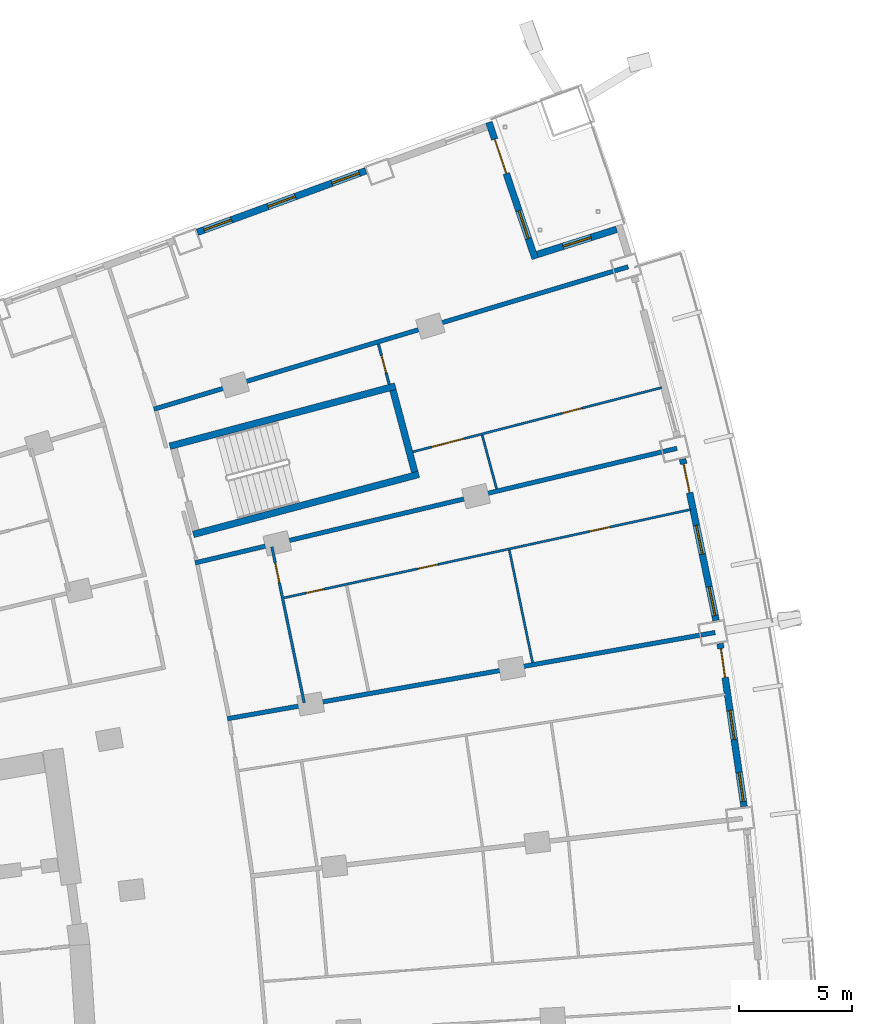
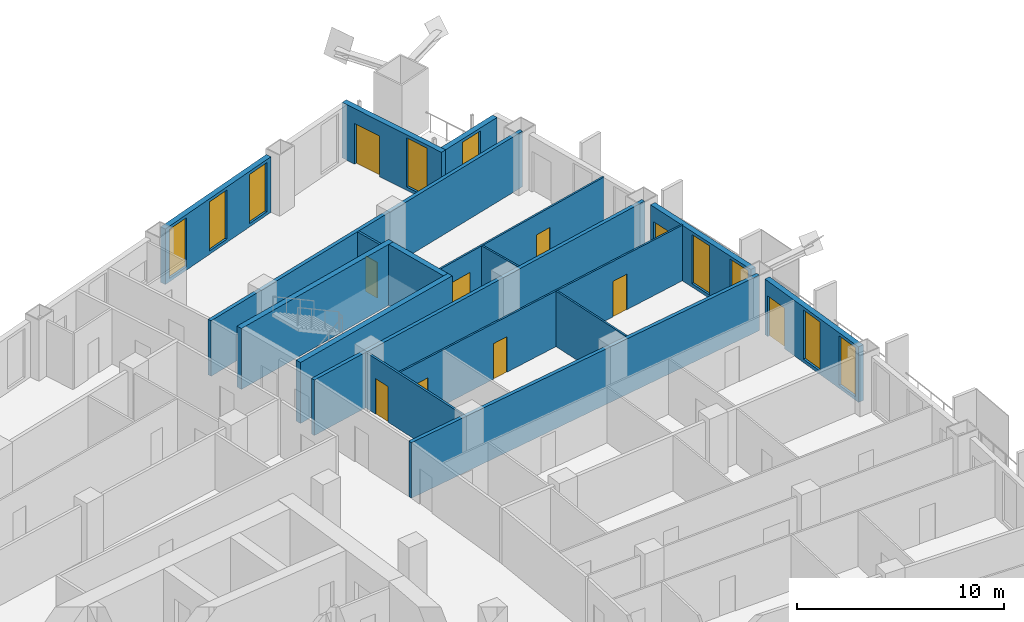
# One storey, part 18 of 22: 17 walls, 10 doors, 9 windows, 19 openings.
"""IFC4 building model written with IfcOpenShell, lengths in metres."""

from ifc_helpers import new_model, si_unit, direction, frame, frame_2d, origin, place, context, subcontext, project, spatial, rectangle, extrude, material, layer, layer_set, type_object, element, fill, save


model = new_model("IFC4")

# Units and contexts
model_context = context("Model", 3, precision=1e-05, world=origin(), true_north=direction((0.0, 1.0)))
body_context = subcontext(model_context, "Body", "Model", "MODEL_VIEW")
ifc_project = project(units=[si_unit("LENGTHUNIT", "METRE"), si_unit("AREAUNIT", "SQUARE_METRE"), si_unit("VOLUMEUNIT", "CUBIC_METRE"), si_unit("PLANEANGLEUNIT", "RADIAN"), si_unit("MASSUNIT", "GRAM", prefix="KILO")], contexts=[model_context])

# Site, building, storey
site_placement = place(None, origin())
site = spatial("IfcSite", under=ifc_project, at=site_placement, CompositionType="ELEMENT")
building_placement = place(site_placement, origin())
building = spatial("IfcBuilding", under=site, at=building_placement, Name="Alderwake Tower", CompositionType="ELEMENT")
storey_placement = place(building_placement, frame((0.0, 0.0, 50.0)))
storey = spatial("IfcBuildingStorey", under=building, at=storey_placement, Name="L11", CompositionType="ELEMENT", Elevation=50.0)

# Walls
ifc_material_1 = material(Name="Concrete C70/85", Category="concrete")
ifc_layer_1 = layer(ifc_material_1, 0.300048828125)
ifc_layer_set_1 = layer_set([ifc_layer_1], Name="Core wall stair enclosure 300 C70-85")
wall_type_1 = type_object("IfcWallType", Name="Core wall stair enclosure 300 C70-85", PredefinedType="SHEAR", material=ifc_layer_set_1)
for number, where, z_axis, x_axis, name in (
    (1, (36.71142578125, 94.182373046875, 0.0), (0.0, 0.0, 1.0), (0.966309214305, 0.257383958996, 0.0), "Core wall CW.082"),
    (2, (37.75390625, 90.268798828125, 0.0), (0.0, 0.0, 1.0), (0.966309214305, 0.257383958996, 0.0), "Core wall CW.084"),
):
    element("IfcWall", number, at=place(storey_placement, frame(where, z_axis=z_axis, x_axis=x_axis)), inside=storey, type_object=wall_type_1, Name=name, PredefinedType="SHEAR", context=body_context, shape_type="SweptSolid", body=[
        extrude(rectangle(XDim=10.360107421875, YDim=0.300048828125, at=frame_2d((5.18017578125, 0.0))), origin(), (0.0, 0.0, 1.0), 3.60009765625),
    ])
wall_1_placement = place(storey_placement, frame((47.581298828125, 93.041748046875, 0.0), z_axis=(0.0, 0.0, 1.0), x_axis=(-0.257366821694, 0.966313778796, 0.0)))
element("IfcWall", 3, at=wall_1_placement, inside=storey, type_object=wall_type_1, Name="Core wall CW.081", PredefinedType="SHEAR", context=body_context, shape_type="SweptSolid", body=[
    extrude(rectangle(XDim=3.749755859375, YDim=0.300048828125, at=frame_2d((1.875, 0.0))), origin(), (0.0, 0.0, 1.0), 3.60009765625),
])

# Wall, openings, door, windows
ifc_material_2 = material(Name="Precast concrete C50/60 spandrel panel", Category="concrete")
ifc_layer_2 = layer(ifc_material_2, 0.300048828125)
ifc_layer_set_2 = layer_set([ifc_layer_2], Name="External wall EW1 Precast concrete C50/60 spandrel")
wall_type_2 = type_object("IfcWallType", Name="External wall EW1 Precast concrete C50/60 spandrel", PredefinedType="SOLIDWALL", material=ifc_layer_set_2)
wall_2_placement = place(storey_placement, frame((62.199951171875, 78.193603515625, 0.0), z_axis=(0.0, 0.0, 1.0), x_axis=(-0.145326596696, 0.989383737633, 0.0)))
wall_2 = element("IfcWall", 4, at=wall_2_placement, inside=storey, type_object=wall_type_2, Name="External wall 19", PredefinedType="SOLIDWALL", context=body_context, shape_type="SweptSolid", body=[
    extrude(rectangle(XDim=7.30615234375, YDim=0.300048828125, at=frame_2d((3.653076171875, 0.0))), origin(), (0.0, 0.0, 1.0), 3.280029296875),
])
opening_1_placement = place(wall_2_placement, frame((0.222900390625, 0.0, 0.199951171875)))
opening_1 = element("IfcOpeningElement", 5, at=opening_1_placement, cuts=wall_2, Name="Opening W1", PredefinedType="OPENING", context=body_context, shape_type="SweptSolid", body=[
    extrude(rectangle(XDim=1.300048828125, YDim=2.89990234375, at=frame_2d((0.64990234375, 1.449951171875))), frame((0.0, 0.159912109375, 0.0), z_axis=(0.0, -1.0, 0.0), x_axis=(1.0, 0.0, 0.0)), (0.0, 0.0, 1.0), 0.320068359375),
])
opening_2_placement = place(wall_2_placement, frame((3.0029296875, 0.0, 0.199951171875)))
opening_2 = element("IfcOpeningElement", 6, at=opening_2_placement, cuts=wall_2, Name="Opening W1", PredefinedType="OPENING", context=body_context, shape_type="SweptSolid", body=[
    extrude(rectangle(XDim=1.300048828125, YDim=2.89990234375, at=frame_2d((0.64990234375, 1.449951171875))), frame((0.0, 0.159912109375, 0.0), z_axis=(0.0, -1.0, 0.0), x_axis=(1.0, 0.0, 0.0)), (0.0, 0.0, 1.0), 0.320068359375),
])
opening_3_placement = place(wall_2_placement, frame((5.783203125, 0.0, 0.0)))
opening_3 = element("IfcOpeningElement", 7, at=opening_3_placement, cuts=wall_2, Name="Opening D10", PredefinedType="OPENING", context=body_context, shape_type="SweptSolid", body=[
    extrude(rectangle(XDim=1.300048828125, YDim=2.39990234375, at=frame_2d((0.64990234375, 1.199951171875))), frame((0.0, 0.159912109375, 0.0), z_axis=(0.0, -1.0, 0.0), x_axis=(1.0, 0.0, 0.0)), (0.0, 0.0, 1.0), 0.320068359375),
])
ifc_material_3 = material(Name="Bronze tinted glass in aluminium frame", Category="aluminium")
door_type_1 = type_object("IfcDoorType", Name="Balcony door BD sliding", OperationType="SLIDING_TO_LEFT", PredefinedType="DOOR", material=ifc_material_3)
door_1_placement = place(opening_3_placement, origin())
door_1 = element("IfcDoor", 8, at=door_1_placement, inside=storey, type_object=door_type_1, Name="Door D10", OperationType="SLIDING_TO_LEFT", OverallHeight=2.39990234375, OverallWidth=1.300048828125, PredefinedType="DOOR", context=body_context, shape_type="SweptSolid", body=[
    extrude(rectangle(XDim=1.300048828125, YDim=2.39990234375, at=frame_2d((0.64990234375, 1.199951171875))), frame((0.0, 0.02490234375, 0.0), z_axis=(0.0, -1.0, 0.0), x_axis=(1.0, 0.0, 0.0)), (0.0, 0.0, 1.0), 0.050048828125),
])
fill(opening_3, door_1)
ifc_material_4 = material(Name="Bronze tinted glass in aluminium frame", Category="aluminium")
window_type = type_object("IfcWindowType", Name="Window W1 tall fixed and vent", PartitioningType="DOUBLE_PANEL_VERTICAL", PredefinedType="WINDOW", material=ifc_material_4)
window_1_placement = place(opening_1_placement, origin())
window_1 = element("IfcWindow", 9, at=window_1_placement, inside=storey, type_object=window_type, Name="Window W1 tall fixed and vent", OverallHeight=2.89990234375, OverallWidth=1.300048828125, PartitioningType="DOUBLE_PANEL_VERTICAL", PredefinedType="WINDOW", context=body_context, shape_type="SweptSolid", body=[
    extrude(rectangle(XDim=1.300048828125, YDim=2.89990234375, at=frame_2d((0.64990234375, 1.449951171875))), frame((0.0, 0.030029296875, 0.0), z_axis=(0.0, -1.0, 0.0), x_axis=(1.0, 0.0, 0.0)), (0.0, 0.0, 1.0), 0.06005859375),
])
fill(opening_1, window_1)
window_2_placement = place(opening_2_placement, origin())
window_2 = element("IfcWindow", 10, at=window_2_placement, inside=storey, type_object=window_type, Name="Window W1 tall fixed and vent", OverallHeight=2.89990234375, OverallWidth=1.300048828125, PartitioningType="DOUBLE_PANEL_VERTICAL", PredefinedType="WINDOW", context=body_context, shape_type="SweptSolid", body=[
    extrude(rectangle(XDim=1.300048828125, YDim=2.89990234375, at=frame_2d((0.64990234375, 1.449951171875))), frame((0.0, 0.030029296875, 0.0), z_axis=(0.0, -1.0, 0.0), x_axis=(1.0, 0.0, 0.0)), (0.0, 0.0, 1.0), 0.06005859375),
])
fill(opening_2, window_2)

wall_3_placement = place(storey_placement, frame((60.955810546875, 86.45458984375, 0.0), z_axis=(0.0, 0.0, 1.0), x_axis=(-0.202769138353, 0.979226570581, 0.0)))
wall_3 = element("IfcWall", 11, at=wall_3_placement, inside=storey, type_object=wall_type_2, Name="External wall 20", PredefinedType="SOLIDWALL", context=body_context, shape_type="SweptSolid", body=[
    extrude(rectangle(XDim=7.30615234375, YDim=0.300048828125, at=frame_2d((3.653076171875, 0.0))), origin(), (0.0, 0.0, 1.0), 3.280029296875),
])
opening_4_placement = place(wall_3_placement, frame((0.222900390625, 0.0, 0.199951171875)))
opening_4 = element("IfcOpeningElement", 12, at=opening_4_placement, cuts=wall_3, Name="Opening W1", PredefinedType="OPENING", context=body_context, shape_type="SweptSolid", body=[
    extrude(rectangle(XDim=1.300048828125, YDim=2.89990234375, at=frame_2d((0.64990234375, 1.449951171875))), frame((0.0, 0.159912109375, 0.0), z_axis=(0.0, -1.0, 0.0), x_axis=(1.0, 0.0, 0.0)), (0.0, 0.0, 1.0), 0.320068359375),
])
opening_5_placement = place(wall_3_placement, frame((3.0029296875, 0.0, 0.199951171875)))
opening_5 = element("IfcOpeningElement", 13, at=opening_5_placement, cuts=wall_3, Name="Opening W1", PredefinedType="OPENING", context=body_context, shape_type="SweptSolid", body=[
    extrude(rectangle(XDim=1.300048828125, YDim=2.89990234375, at=frame_2d((0.64990234375, 1.449951171875))), frame((0.0, 0.159912109375, 0.0), z_axis=(0.0, -1.0, 0.0), x_axis=(1.0, 0.0, 0.0)), (0.0, 0.0, 1.0), 0.320068359375),
])
opening_6_placement = place(wall_3_placement, frame((5.783203125, 0.0, 0.0)))
opening_6 = element("IfcOpeningElement", 14, at=opening_6_placement, cuts=wall_3, Name="Opening D11", PredefinedType="OPENING", context=body_context, shape_type="SweptSolid", body=[
    extrude(rectangle(XDim=1.300048828125, YDim=2.39990234375, at=frame_2d((0.64990234375, 1.199951171875))), frame((0.0, 0.159912109375, 0.0), z_axis=(0.0, -1.0, 0.0), x_axis=(1.0, 0.0, 0.0)), (0.0, 0.0, 1.0), 0.320068359375),
])
door_2_placement = place(opening_6_placement, origin())
door_2 = element("IfcDoor", 15, at=door_2_placement, inside=storey, type_object=door_type_1, Name="Door D11", OperationType="SLIDING_TO_LEFT", OverallHeight=2.39990234375, OverallWidth=1.300048828125, PredefinedType="DOOR", context=body_context, shape_type="SweptSolid", body=[
    extrude(rectangle(XDim=1.300048828125, YDim=2.39990234375, at=frame_2d((0.64990234375, 1.199951171875))), frame((0.0, 0.02490234375, 0.0), z_axis=(0.0, -1.0, 0.0), x_axis=(1.0, 0.0, 0.0)), (0.0, 0.0, 1.0), 0.050048828125),
])
fill(opening_6, door_2)
window_3_placement = place(opening_4_placement, origin())
window_3 = element("IfcWindow", 16, at=window_3_placement, inside=storey, type_object=window_type, Name="Window W1 tall fixed and vent", OverallHeight=2.89990234375, OverallWidth=1.300048828125, PartitioningType="DOUBLE_PANEL_VERTICAL", PredefinedType="WINDOW", context=body_context, shape_type="SweptSolid", body=[
    extrude(rectangle(XDim=1.300048828125, YDim=2.89990234375, at=frame_2d((0.64990234375, 1.449951171875))), frame((0.0, 0.030029296875, 0.0), z_axis=(0.0, -1.0, 0.0), x_axis=(1.0, 0.0, 0.0)), (0.0, 0.0, 1.0), 0.06005859375),
])
fill(opening_4, window_3)
window_4_placement = place(opening_5_placement, origin())
window_4 = element("IfcWindow", 17, at=window_4_placement, inside=storey, type_object=window_type, Name="Window W1 tall fixed and vent", OverallHeight=2.89990234375, OverallWidth=1.300048828125, PartitioningType="DOUBLE_PANEL_VERTICAL", PredefinedType="WINDOW", context=body_context, shape_type="SweptSolid", body=[
    extrude(rectangle(XDim=1.300048828125, YDim=2.89990234375, at=frame_2d((0.64990234375, 1.449951171875))), frame((0.0, 0.030029296875, 0.0), z_axis=(0.0, -1.0, 0.0), x_axis=(1.0, 0.0, 0.0)), (0.0, 0.0, 1.0), 0.06005859375),
])
fill(opening_5, window_4)

# Wall, opening, window
ifc_material_5 = material(Name="Bronze metal cladding on lightweight framing")
ifc_layer_3 = layer(ifc_material_5, 0.300048828125)
ifc_layer_set_3 = layer_set([ifc_layer_3], Name="External wall EW2 bronze metal cladding")
wall_type_3 = type_object("IfcWallType", Name="External wall EW2 bronze metal cladding", PredefinedType="SOLIDWALL", material=ifc_layer_set_3)
wall_4_placement = place(storey_placement, frame((56.544677734375, 103.80810546875, 0.0), z_axis=(0.0, 0.0, 1.0), x_axis=(-0.953466730622, -0.301498248083, 0.0)))
wall_4 = element("IfcWall", 18, at=wall_4_placement, inside=storey, type_object=wall_type_3, Name="External wall 23", PredefinedType="SOLIDWALL", context=body_context, shape_type="SweptSolid", body=[
    extrude(rectangle(XDim=3.694091796875, YDim=0.300048828125, at=frame_2d((1.84716796875, 0.0))), origin(), (0.0, 0.0, 1.0), 3.280029296875),
])
opening_7_placement = place(wall_4_placement, frame((1.197021484375, 0.0, 0.199951171875)))
opening_7 = element("IfcOpeningElement", 19, at=opening_7_placement, cuts=wall_4, Name="Opening W1", PredefinedType="OPENING", context=body_context, shape_type="SweptSolid", body=[
    extrude(rectangle(XDim=1.300048828125, YDim=2.89990234375, at=frame_2d((0.64990234375, 1.449951171875))), frame((0.0, 0.159912109375, 0.0), z_axis=(0.0, -1.0, 0.0), x_axis=(1.0, 0.0, 0.0)), (0.0, 0.0, 1.0), 0.320068359375),
])
window_5_placement = place(opening_7_placement, origin())
window_5 = element("IfcWindow", 20, at=window_5_placement, inside=storey, type_object=window_type, Name="Window W1 tall fixed and vent", OverallHeight=2.89990234375, OverallWidth=1.300048828125, PartitioningType="DOUBLE_PANEL_VERTICAL", PredefinedType="WINDOW", context=body_context, shape_type="SweptSolid", body=[
    extrude(rectangle(XDim=1.300048828125, YDim=2.89990234375, at=frame_2d((0.64990234375, 1.449951171875))), frame((0.0, 0.030029296875, 0.0), z_axis=(0.0, -1.0, 0.0), x_axis=(1.0, 0.0, 0.0)), (0.0, 0.0, 1.0), 0.06005859375),
])
fill(opening_7, window_5)

# Wall, openings, door, window
wall_5_placement = place(storey_placement, frame((52.927490234375, 102.507080078125, 0.0), z_axis=(0.0, 0.0, 1.0), x_axis=(-0.320933594425, 0.947101698853, 0.0)))
wall_5 = element("IfcWall", 21, at=wall_5_placement, inside=storey, type_object=wall_type_3, Name="External wall 24", PredefinedType="SOLIDWALL", context=body_context, shape_type="SweptSolid", body=[
    extrude(rectangle(XDim=6.3916015625, YDim=0.300048828125, at=frame_2d((3.19580078125, 0.0))), origin(), (0.0, 0.0, 1.0), 3.280029296875),
])
opening_8_placement = place(wall_5_placement, frame((0.947998046875, 0.0, 0.199951171875)))
opening_8 = element("IfcOpeningElement", 22, at=opening_8_placement, cuts=wall_5, Name="Opening W1", PredefinedType="OPENING", context=body_context, shape_type="SweptSolid", body=[
    extrude(rectangle(XDim=1.300048828125, YDim=2.89990234375, at=frame_2d((0.64990234375, 1.449951171875))), frame((0.0, 0.159912109375, 0.0), z_axis=(0.0, -1.0, 0.0), x_axis=(1.0, 0.0, 0.0)), (0.0, 0.0, 1.0), 0.320068359375),
])
opening_9_placement = place(wall_5_placement, frame((3.993896484375, 0.0, 0.0)))
opening_9 = element("IfcOpeningElement", 23, at=opening_9_placement, cuts=wall_5, Name="Opening D13", PredefinedType="OPENING", context=body_context, shape_type="SweptSolid", body=[
    extrude(rectangle(XDim=1.60009765625, YDim=2.39990234375, at=frame_2d((0.800048828125, 1.199951171875))), frame((0.0, 0.159912109375, 0.0), z_axis=(0.0, -1.0, 0.0), x_axis=(1.0, 0.0, 0.0)), (0.0, 0.0, 1.0), 0.320068359375),
])
ifc_material_6 = material(Name="Bronze tinted glass in aluminium frame", Category="aluminium")
door_type_2 = type_object("IfcDoorType", Name="Terrace door TD sliding", OperationType="SLIDING_TO_LEFT", PredefinedType="DOOR", material=ifc_material_6)
door_3_placement = place(opening_9_placement, origin())
door_3 = element("IfcDoor", 24, at=door_3_placement, inside=storey, type_object=door_type_2, Name="Door D13", OperationType="SLIDING_TO_LEFT", OverallHeight=2.39990234375, OverallWidth=1.60009765625, PredefinedType="DOOR", context=body_context, shape_type="SweptSolid", body=[
    extrude(rectangle(XDim=1.60009765625, YDim=2.39990234375, at=frame_2d((0.800048828125, 1.199951171875))), frame((0.0, 0.02490234375, 0.0), z_axis=(0.0, -1.0, 0.0), x_axis=(1.0, 0.0, 0.0)), (0.0, 0.0, 1.0), 0.050048828125),
])
fill(opening_9, door_3)
window_6_placement = place(opening_8_placement, origin())
window_6 = element("IfcWindow", 25, at=window_6_placement, inside=storey, type_object=window_type, Name="Window W1 tall fixed and vent", OverallHeight=2.89990234375, OverallWidth=1.300048828125, PartitioningType="DOUBLE_PANEL_VERTICAL", PredefinedType="WINDOW", context=body_context, shape_type="SweptSolid", body=[
    extrude(rectangle(XDim=1.300048828125, YDim=2.89990234375, at=frame_2d((0.64990234375, 1.449951171875))), frame((0.0, 0.030029296875, 0.0), z_axis=(0.0, -1.0, 0.0), x_axis=(1.0, 0.0, 0.0)), (0.0, 0.0, 1.0), 0.06005859375),
])
fill(opening_8, window_6)

# Wall, openings, windows
wall_6_placement = place(storey_placement, frame((45.41357421875, 106.406982421875, 0.0), z_axis=(0.0, 0.0, 1.0), x_axis=(-0.939370174945, -0.34290475999, 0.0)))
wall_6 = element("IfcWall", 26, at=wall_6_placement, inside=storey, type_object=wall_type_3, Name="External wall 26", PredefinedType="SOLIDWALL", context=body_context, shape_type="SweptSolid", body=[
    extrude(rectangle(XDim=7.962646484375, YDim=0.300048828125, at=frame_2d((3.9814453125, 0.0))), origin(), (0.0, 0.0, 1.0), 3.280029296875),
])
opening_10_placement = place(wall_6_placement, frame((0.30908203125, 0.0, 0.199951171875)))
opening_10 = element("IfcOpeningElement", 27, at=opening_10_placement, cuts=wall_6, Name="Opening W1", PredefinedType="OPENING", context=body_context, shape_type="SweptSolid", body=[
    extrude(rectangle(XDim=1.300048828125, YDim=2.89990234375, at=frame_2d((0.64990234375, 1.449951171875))), frame((0.0, 0.159912109375, 0.0), z_axis=(0.0, -1.0, 0.0), x_axis=(1.0, 0.0, 0.0)), (0.0, 0.0, 1.0), 0.320068359375),
])
opening_11_placement = place(wall_6_placement, frame((3.331298828125, 0.0, 0.199951171875)))
opening_11 = element("IfcOpeningElement", 28, at=opening_11_placement, cuts=wall_6, Name="Opening W1", PredefinedType="OPENING", context=body_context, shape_type="SweptSolid", body=[
    extrude(rectangle(XDim=1.300048828125, YDim=2.89990234375, at=frame_2d((0.64990234375, 1.449951171875))), frame((0.0, 0.159912109375, 0.0), z_axis=(0.0, -1.0, 0.0), x_axis=(1.0, 0.0, 0.0)), (0.0, 0.0, 1.0), 0.320068359375),
])
opening_12_placement = place(wall_6_placement, frame((6.353515625, 0.0, 0.199951171875)))
opening_12 = element("IfcOpeningElement", 29, at=opening_12_placement, cuts=wall_6, Name="Opening W1", PredefinedType="OPENING", context=body_context, shape_type="SweptSolid", body=[
    extrude(rectangle(XDim=1.300048828125, YDim=2.89990234375, at=frame_2d((0.64990234375, 1.449951171875))), frame((0.0, 0.159912109375, 0.0), z_axis=(0.0, -1.0, 0.0), x_axis=(1.0, 0.0, 0.0)), (0.0, 0.0, 1.0), 0.320068359375),
])
window_7_placement = place(opening_10_placement, origin())
window_7 = element("IfcWindow", 30, at=window_7_placement, inside=storey, type_object=window_type, Name="Window W1 tall fixed and vent", OverallHeight=2.89990234375, OverallWidth=1.300048828125, PartitioningType="DOUBLE_PANEL_VERTICAL", PredefinedType="WINDOW", context=body_context, shape_type="SweptSolid", body=[
    extrude(rectangle(XDim=1.300048828125, YDim=2.89990234375, at=frame_2d((0.64990234375, 1.449951171875))), frame((0.0, 0.030029296875, 0.0), z_axis=(0.0, -1.0, 0.0), x_axis=(1.0, 0.0, 0.0)), (0.0, 0.0, 1.0), 0.06005859375),
])
fill(opening_10, window_7)
window_8_placement = place(opening_11_placement, origin())
window_8 = element("IfcWindow", 31, at=window_8_placement, inside=storey, type_object=window_type, Name="Window W1 tall fixed and vent", OverallHeight=2.89990234375, OverallWidth=1.300048828125, PartitioningType="DOUBLE_PANEL_VERTICAL", PredefinedType="WINDOW", context=body_context, shape_type="SweptSolid", body=[
    extrude(rectangle(XDim=1.300048828125, YDim=2.89990234375, at=frame_2d((0.64990234375, 1.449951171875))), frame((0.0, 0.030029296875, 0.0), z_axis=(0.0, -1.0, 0.0), x_axis=(1.0, 0.0, 0.0)), (0.0, 0.0, 1.0), 0.06005859375),
])
fill(opening_11, window_8)
window_9_placement = place(opening_12_placement, origin())
window_9 = element("IfcWindow", 32, at=window_9_placement, inside=storey, type_object=window_type, Name="Window W1 tall fixed and vent", OverallHeight=2.89990234375, OverallWidth=1.300048828125, PartitioningType="DOUBLE_PANEL_VERTICAL", PredefinedType="WINDOW", context=body_context, shape_type="SweptSolid", body=[
    extrude(rectangle(XDim=1.300048828125, YDim=2.89990234375, at=frame_2d((0.64990234375, 1.449951171875))), frame((0.0, 0.030029296875, 0.0), z_axis=(0.0, -1.0, 0.0), x_axis=(1.0, 0.0, 0.0)), (0.0, 0.0, 1.0), 0.06005859375),
])
fill(opening_12, window_9)

# Walls
ifc_material_7 = material(Name="Dense block masonry wall", Category="masonry")
ifc_layer_4 = layer(ifc_material_7, 0.199951171875)
ifc_layer_set_4 = layer_set([ifc_layer_4], Name="Party wall 200")
wall_type_4 = type_object("IfcWallType", Name="Party wall 200", PredefinedType="SOLIDWALL", material=ifc_layer_set_4)
wall_7_placement = place(storey_placement, frame((37.839111328125, 89.006591796875, 0.0), z_axis=(0.0, 0.0, 1.0), x_axis=(0.972896955684, 0.231239083247, 0.0)))
element("IfcWall", 33, at=wall_7_placement, inside=storey, type_object=wall_type_4, Name="WL/L11/W05", PredefinedType="SOLIDWALL", context=body_context, shape_type="SweptSolid", body=[
    extrude(rectangle(XDim=21.9794921875, YDim=0.199951171875, at=frame_2d((10.98974609375, 0.0))), origin(), (0.0, 0.0, 1.0), 3.280029296875),
])
wall_8_placement = place(storey_placement, frame((57.056884765625, 102.14697265625, 0.0), z_axis=(0.0, 0.0, 1.0), x_axis=(-0.957772159576, -0.287528242685, 0.0)))
element("IfcWall", 34, at=wall_8_placement, inside=storey, type_object=wall_type_4, Name="WL/L11/W07", PredefinedType="SOLIDWALL", context=body_context, shape_type="SweptSolid", body=[
    extrude(rectangle(XDim=21.980712890625, YDim=0.199951171875, at=frame_2d((10.990234375, 0.0))), origin(), (0.0, 0.0, 1.0), 3.280029296875),
])
wall_9_placement = place(storey_placement, frame((60.9150390625, 85.9140625, 0.0), z_axis=(0.0, 0.0, 1.0), x_axis=(-0.984728497917, -0.174097057385, 0.0)))
element("IfcWall", 35, at=wall_9_placement, inside=storey, type_object=wall_type_4, Name="WL/L11/W09", PredefinedType="SOLIDWALL", context=body_context, shape_type="SweptSolid", body=[
    extrude(rectangle(XDim=21.9814453125, YDim=0.199951171875, at=frame_2d((10.99072265625, 0.0))), origin(), (0.0, 0.0, 1.0), 3.280029296875),
])

# Wall, openings, doors
ifc_material_8 = material(Name="Gypsum board on metal studs")
ifc_layer_5 = layer(ifc_material_8, 0.10009765625)
ifc_layer_set_5 = layer_set([ifc_layer_5], Name="Unit partition 100")
wall_type_5 = type_object("IfcWallType", Name="Unit partition 100", PredefinedType="PARTITIONING", material=ifc_layer_set_5)
wall_10_placement = place(storey_placement, frame((59.8349609375, 91.3740234375, 0.0), z_axis=(0.0, 0.0, 1.0), x_axis=(-0.977210328397, -0.212273347536, 0.0)))
wall_10 = element("IfcWall", 36, at=wall_10_placement, inside=storey, type_object=wall_type_5, Name="WL/L11/W73", PredefinedType="PARTITIONING", context=body_context, shape_type="SweptSolid", body=[
    extrude(rectangle(XDim=18.482421875, YDim=0.10009765625, at=frame_2d((9.2412109375, 0.0))), origin(), (0.0, 0.0, 1.0), 3.280029296875),
])
opening_13_placement = place(wall_10_placement, frame((11.498291015625, 0.0, 0.0)))
opening_13 = element("IfcOpeningElement", 37, at=opening_13_placement, cuts=wall_10, Name="Opening R02-U10.1", PredefinedType="OPENING", context=body_context, shape_type="SweptSolid", body=[
    extrude(rectangle(XDim=0.89990234375, YDim=2.10009765625, at=frame_2d((0.449951171875, 1.050048828125))), frame((0.0, 0.06005859375, 0.0), z_axis=(0.0, -1.0, 0.0), x_axis=(1.0, 0.0, 0.0)), (0.0, 0.0, 1.0), 0.1201171875),
])
opening_14_placement = place(wall_10_placement, frame((16.663330078125, 0.0, 0.0)))
opening_14 = element("IfcOpeningElement", 38, at=opening_14_placement, cuts=wall_10, Name="Opening R02-U10.4", PredefinedType="OPENING", context=body_context, shape_type="SweptSolid", body=[
    extrude(rectangle(XDim=0.800048828125, YDim=2.10009765625, at=frame_2d((0.39990234375, 1.050048828125))), frame((0.0, 0.06005859375, 0.0), z_axis=(0.0, -1.0, 0.0), x_axis=(1.0, 0.0, 0.0)), (0.0, 0.0, 1.0), 0.1201171875),
])
opening_15_placement = place(wall_10_placement, frame((3.67626953125, 0.0, 0.0)))
opening_15 = element("IfcOpeningElement", 39, at=opening_15_placement, cuts=wall_10, Name="Opening R02-U10.5", PredefinedType="OPENING", context=body_context, shape_type="SweptSolid", body=[
    extrude(rectangle(XDim=0.89990234375, YDim=2.10009765625, at=frame_2d((0.449951171875, 1.050048828125))), frame((0.0, 0.06005859375, 0.0), z_axis=(0.0, -1.0, 0.0), x_axis=(1.0, 0.0, 0.0)), (0.0, 0.0, 1.0), 0.1201171875),
])
ifc_material_9 = material(Name="Painted timber leaf", Category="wood")
door_type_3 = type_object("IfcDoorType", Name="Bathroom door 800", OperationType="SINGLE_SWING_LEFT", PredefinedType="DOOR", material=ifc_material_9)
door_4_placement = place(opening_14_placement, origin())
door_4 = element("IfcDoor", 40, at=door_4_placement, inside=storey, type_object=door_type_3, Name="DR/L11/U10.4", OperationType="SINGLE_SWING_LEFT", OverallHeight=2.10009765625, OverallWidth=0.800048828125, PredefinedType="DOOR", context=body_context, shape_type="SweptSolid", body=[
    extrude(rectangle(XDim=0.800048828125, YDim=2.10009765625, at=frame_2d((0.39990234375, 1.050048828125))), frame((0.0, 0.02490234375, 0.0), z_axis=(0.0, -1.0, 0.0), x_axis=(1.0, 0.0, 0.0)), (0.0, 0.0, 1.0), 0.050048828125),
])
fill(opening_14, door_4)
ifc_material_10 = material(Name="Painted timber leaf", Category="wood")
door_type_4 = type_object("IfcDoorType", Name="Room door 900", OperationType="SINGLE_SWING_LEFT", PredefinedType="DOOR", material=ifc_material_10)
door_5_placement = place(opening_13_placement, origin())
door_5 = element("IfcDoor", 41, at=door_5_placement, inside=storey, type_object=door_type_4, Name="DR/L11/U10.1", OperationType="SINGLE_SWING_LEFT", OverallHeight=2.10009765625, OverallWidth=0.89990234375, PredefinedType="DOOR", context=body_context, shape_type="SweptSolid", body=[
    extrude(rectangle(XDim=0.89990234375, YDim=2.10009765625, at=frame_2d((0.449951171875, 1.050048828125))), frame((0.0, 0.02490234375, 0.0), z_axis=(0.0, -1.0, 0.0), x_axis=(1.0, 0.0, 0.0)), (0.0, 0.0, 1.0), 0.050048828125),
])
fill(opening_13, door_5)
door_6_placement = place(opening_15_placement, origin())
door_6 = element("IfcDoor", 42, at=door_6_placement, inside=storey, type_object=door_type_4, Name="DR/L11/U10.5", OperationType="SINGLE_SWING_LEFT", OverallHeight=2.10009765625, OverallWidth=0.89990234375, PredefinedType="DOOR", context=body_context, shape_type="SweptSolid", body=[
    extrude(rectangle(XDim=0.89990234375, YDim=2.10009765625, at=frame_2d((0.449951171875, 1.050048828125))), frame((0.0, 0.02490234375, 0.0), z_axis=(0.0, -1.0, 0.0), x_axis=(1.0, 0.0, 0.0)), (0.0, 0.0, 1.0), 0.050048828125),
])
fill(opening_15, door_6)

wall_11_placement = place(storey_placement, frame((47.4990234375, 93.93310546875, 0.0), z_axis=(0.0, 0.0, 1.0), x_axis=(0.968247427207, 0.249993839338, 0.0)))
wall_11 = element("IfcWall", 43, at=wall_11_placement, inside=storey, type_object=wall_type_5, Name="WL/L11/W76", PredefinedType="PARTITIONING", context=body_context, shape_type="SweptSolid", body=[
    extrude(rectangle(XDim=11.411376953125, YDim=0.10009765625, at=frame_2d((5.70556640625, 0.0))), origin(), (0.0, 0.0, 1.0), 3.280029296875),
])
opening_16_placement = place(wall_11_placement, frame((0.831787109375, 0.0, 0.0)))
opening_16 = element("IfcOpeningElement", 44, at=opening_16_placement, cuts=wall_11, Name="Opening R02-U02.2", PredefinedType="OPENING", context=body_context, shape_type="SweptSolid", body=[
    extrude(rectangle(XDim=1.5, YDim=2.10009765625, at=frame_2d((0.75, 1.050048828125))), frame((0.0, 0.06005859375, 0.0), z_axis=(0.0, -1.0, 0.0), x_axis=(1.0, 0.0, 0.0)), (0.0, 0.0, 1.0), 0.1201171875),
])
opening_17_placement = place(wall_11_placement, frame((6.83740234375, 0.0, 0.0)))
opening_17 = element("IfcOpeningElement", 45, at=opening_17_placement, cuts=wall_11, Name="Opening R02-U02.3", PredefinedType="OPENING", context=body_context, shape_type="SweptSolid", body=[
    extrude(rectangle(XDim=0.89990234375, YDim=2.10009765625, at=frame_2d((0.449951171875, 1.050048828125))), frame((0.0, 0.06005859375, 0.0), z_axis=(0.0, -1.0, 0.0), x_axis=(1.0, 0.0, 0.0)), (0.0, 0.0, 1.0), 0.1201171875),
])
ifc_material_11 = material(Name="Painted timber leaves", Category="wood")
door_type_5 = type_object("IfcDoorType", Name="Double leaf door 1500", OperationType="DOUBLE_DOOR_SINGLE_SWING", PredefinedType="DOOR", material=ifc_material_11)
door_7_placement = place(opening_16_placement, origin())
door_7 = element("IfcDoor", 46, at=door_7_placement, inside=storey, type_object=door_type_5, Name="DR/L11/U02.2", OperationType="DOUBLE_DOOR_SINGLE_SWING", OverallHeight=2.10009765625, OverallWidth=1.5, PredefinedType="DOOR", context=body_context, shape_type="SweptSolid", body=[
    extrude(rectangle(XDim=1.5, YDim=2.10009765625, at=frame_2d((0.75, 1.050048828125))), frame((0.0, 0.02490234375, 0.0), z_axis=(0.0, -1.0, 0.0), x_axis=(1.0, 0.0, 0.0)), (0.0, 0.0, 1.0), 0.050048828125),
])
fill(opening_16, door_7)
door_8_placement = place(opening_17_placement, origin())
door_8 = element("IfcDoor", 47, at=door_8_placement, inside=storey, type_object=door_type_4, Name="DR/L11/U02.3", OperationType="SINGLE_SWING_LEFT", OverallHeight=2.10009765625, OverallWidth=0.89990234375, PredefinedType="DOOR", context=body_context, shape_type="SweptSolid", body=[
    extrude(rectangle(XDim=0.89990234375, YDim=2.10009765625, at=frame_2d((0.449951171875, 1.050048828125))), frame((0.0, 0.02490234375, 0.0), z_axis=(0.0, -1.0, 0.0), x_axis=(1.0, 0.0, 0.0)), (0.0, 0.0, 1.0), 0.050048828125),
])
fill(opening_17, door_8)

# Walls
wall_12_placement = place(storey_placement, frame((51.217041015625, 92.28662109375, 0.0), z_axis=(0.0, 0.0, 1.0), x_axis=(-0.259442778972, 0.965758481422, 0.0)))
element("IfcWall", 48, at=wall_12_placement, inside=storey, type_object=wall_type_5, Name="WL/L11/W82", PredefinedType="PARTITIONING", context=body_context, shape_type="SweptSolid", body=[
    extrude(rectangle(XDim=2.474853515625, YDim=0.10009765625, at=frame_2d((1.2373046875, 0.0))), origin(), (0.0, 0.0, 1.0), 3.280029296875),
])
wall_13_placement = place(storey_placement, frame((52.812744140625, 84.583984375, 0.0), z_axis=(0.0, 0.0, 1.0), x_axis=(-0.202516863468, 0.979278775432, 0.0)))
element("IfcWall", 49, at=wall_13_placement, inside=storey, type_object=wall_type_5, Name="WL/L11/W87", PredefinedType="PARTITIONING", context=body_context, shape_type="SweptSolid", body=[
    extrude(rectangle(XDim=5.094482421875, YDim=0.10009765625, at=frame_2d((2.54736328125, 0.0))), origin(), (0.0, 0.0, 1.0), 3.280029296875),
])

# Wall, opening, door
ifc_material_12 = material(Name="Moisture resistant gypsum board on metal studs")
ifc_layer_6 = layer(ifc_material_12, 0.1201171875)
ifc_layer_set_6 = layer_set([ifc_layer_6], Name="Wet room partition 120")
wall_type_6 = type_object("IfcWallType", Name="Wet room partition 120", PredefinedType="PARTITIONING", material=ifc_layer_set_6)
wall_14_placement = place(storey_placement, frame((41.243408203125, 89.712890625, 0.0), z_axis=(0.0, 0.0, 1.0), x_axis=(0.202695854643, -0.979241742631, 0.0)))
wall_14 = element("IfcWall", 50, at=wall_14_placement, inside=storey, type_object=wall_type_6, Name="WL/L11/W52", PredefinedType="PARTITIONING", context=body_context, shape_type="SweptSolid", body=[
    extrude(rectangle(XDim=7.066650390625, YDim=0.1201171875, at=frame_2d((3.533203125, 0.0))), origin(), (0.0, 0.0, 1.0), 3.280029296875),
])
opening_18_placement = place(wall_14_placement, frame((0.711669921875, 0.0, 0.0)))
opening_18 = element("IfcOpeningElement", 51, at=opening_18_placement, cuts=wall_14, Name="Opening R02-U10.3", PredefinedType="OPENING", context=body_context, shape_type="SweptSolid", body=[
    extrude(rectangle(XDim=0.89990234375, YDim=2.10009765625, at=frame_2d((0.449951171875, 1.050048828125))), frame((0.0, 0.070068359375, 0.0), z_axis=(0.0, -1.0, 0.0), x_axis=(1.0, 0.0, 0.0)), (0.0, 0.0, 1.0), 0.14013671875),
])
door_9_placement = place(opening_18_placement, origin())
door_9 = element("IfcDoor", 52, at=door_9_placement, inside=storey, type_object=door_type_4, Name="DR/L11/U10.3", OperationType="SINGLE_SWING_LEFT", OverallHeight=2.10009765625, OverallWidth=0.89990234375, PredefinedType="DOOR", context=body_context, shape_type="SweptSolid", body=[
    extrude(rectangle(XDim=0.89990234375, YDim=2.10009765625, at=frame_2d((0.449951171875, 1.050048828125))), frame((0.0, 0.02490234375, 0.0), z_axis=(0.0, -1.0, 0.0), x_axis=(1.0, 0.0, 0.0)), (0.0, 0.0, 1.0), 0.050048828125),
])
fill(opening_18, door_9)

wall_15_placement = place(storey_placement, frame((46.448974609375, 96.929931640625, 0.0), z_axis=(0.0, 0.0, 1.0), x_axis=(-0.258764710752, 0.965940383497, 0.0)))
wall_15 = element("IfcWall", 53, at=wall_15_placement, inside=storey, type_object=wall_type_6, Name="WL/L11/W61", PredefinedType="PARTITIONING", context=body_context, shape_type="SweptSolid", body=[
    extrude(rectangle(XDim=1.847412109375, YDim=0.1201171875, at=frame_2d((0.923828125, 0.0))), origin(), (0.0, 0.0, 1.0), 3.280029296875),
])
opening_19_placement = place(wall_15_placement, frame((0.524169921875, 0.0, 0.0)))
opening_19 = element("IfcOpeningElement", 54, at=opening_19_placement, cuts=wall_15, Name="Opening R02-U02.4", PredefinedType="OPENING", context=body_context, shape_type="SweptSolid", body=[
    extrude(rectangle(XDim=0.800048828125, YDim=2.10009765625, at=frame_2d((0.39990234375, 1.050048828125))), frame((0.0, 0.070068359375, 0.0), z_axis=(0.0, -1.0, 0.0), x_axis=(1.0, 0.0, 0.0)), (0.0, 0.0, 1.0), 0.14013671875),
])
door_10_placement = place(opening_19_placement, origin())
door_10 = element("IfcDoor", 55, at=door_10_placement, inside=storey, type_object=door_type_3, Name="DR/L11/U02.4", OperationType="SINGLE_SWING_LEFT", OverallHeight=2.10009765625, OverallWidth=0.800048828125, PredefinedType="DOOR", context=body_context, shape_type="SweptSolid", body=[
    extrude(rectangle(XDim=0.800048828125, YDim=2.10009765625, at=frame_2d((0.39990234375, 1.050048828125))), frame((0.0, 0.02490234375, 0.0), z_axis=(0.0, -1.0, 0.0), x_axis=(1.0, 0.0, 0.0)), (0.0, 0.0, 1.0), 0.050048828125),
])
fill(opening_19, door_10)

save(model, "model.ifc")
